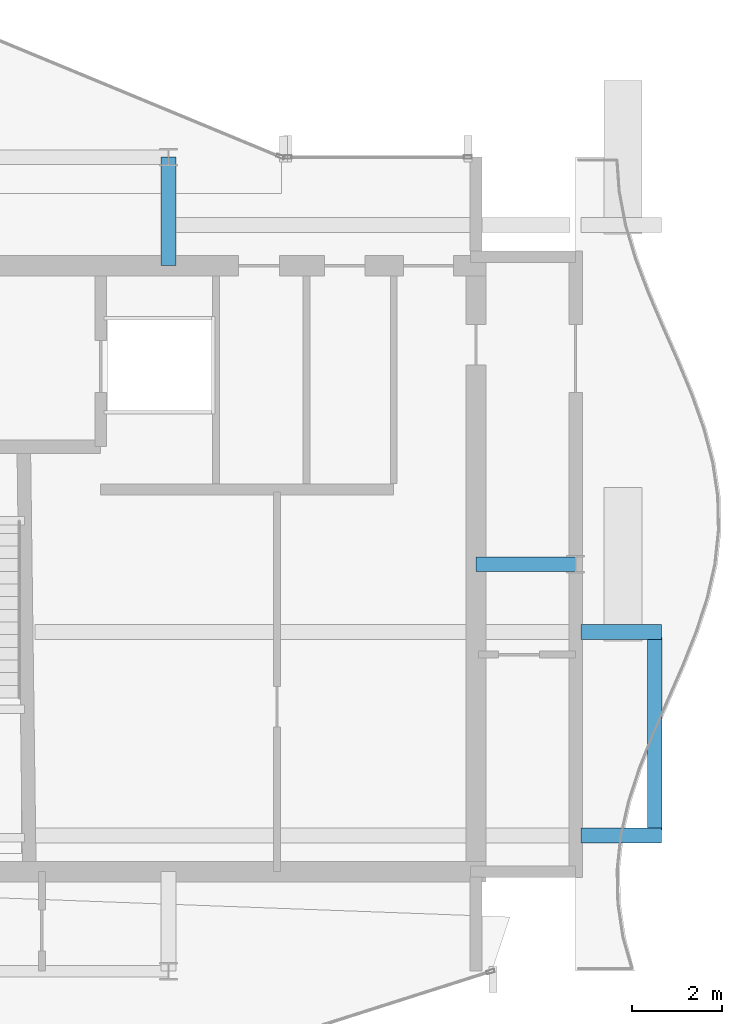
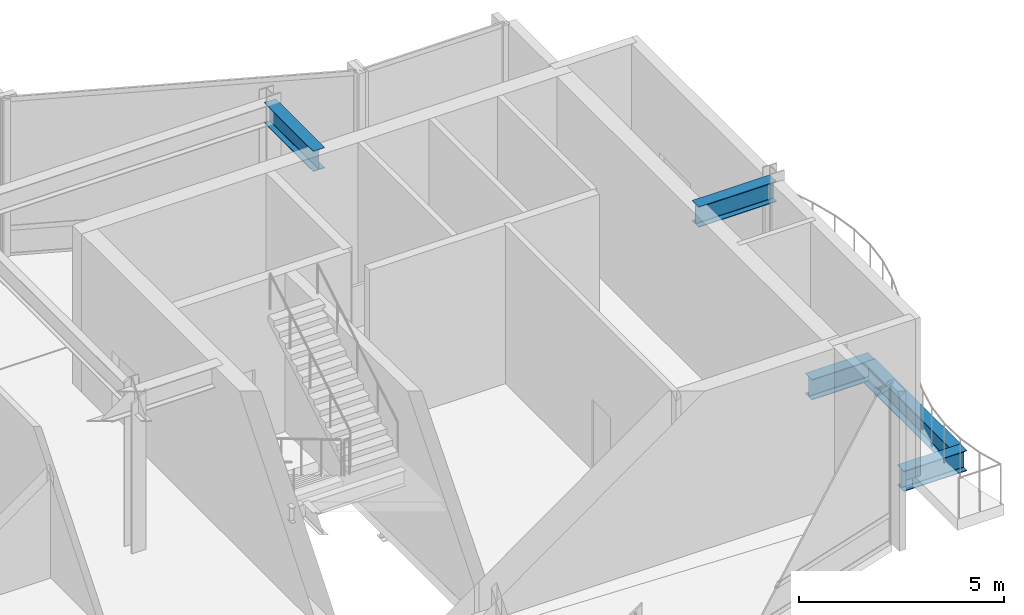
# One storey, part 12 of 23: 5 beams.
"""IFC4 building model written with IfcOpenShell, lengths in metres."""

from ifc_helpers import new_model, si_unit, direction, frame, origin, origin_2d, place, context, subcontext, project, spatial, i_section, extrude, material, material_profile, profile_set, type_object, element, save


model = new_model("IFC4")

# Units and contexts
model_context = context("Model", 3, precision=1e-05, world=origin(), true_north=direction((0.0, 1.0)))
body_context = subcontext(model_context, "Body", "Model", "MODEL_VIEW")
ifc_project = project(units=[si_unit("LENGTHUNIT", "METRE"), si_unit("AREAUNIT", "SQUARE_METRE"), si_unit("VOLUMEUNIT", "CUBIC_METRE"), si_unit("PLANEANGLEUNIT", "RADIAN"), si_unit("MASSUNIT", "GRAM", prefix="KILO")], contexts=[model_context])

# Site, building, storey
site_placement = place(None, origin())
site = spatial("IfcSite", under=ifc_project, at=site_placement, CompositionType="ELEMENT")
building_placement = place(site_placement, origin())
building = spatial("IfcBuilding", under=site, at=building_placement, Name="Solvaryn Broadcast Tower", CompositionType="ELEMENT")
storey_placement = place(building_placement, frame((0.0, 0.0, 235.800048828125)))
storey = spatial("IfcBuildingStorey", under=building, at=storey_placement, Name="L59", CompositionType="ELEMENT", Elevation=235.800048828125)

# Beams
ifc_material_1 = material(Name="Steel ASTM A992 Grade 50", Category="steel")
ifc_material_profile_1 = material_profile(ifc_material_1, i_section(OverallWidth=0.323974609375, OverallDepth=0.611083984375, WebThickness=0.0126953125, FlangeThickness=0.01904296875, FilletRadius=0.014892578125, at=origin_2d()))
ifc_profile_set_1 = profile_set([ifc_material_profile_1], Name="Steel ASTM A992 Grade 50")
beam_type_1 = type_object("IfcBeamType", Name="BM-B1-W24X104", PredefinedType="BEAM", material=ifc_profile_set_1)
beam_1_placement = place(storey_placement, frame((46.75, 12.125, -0.635498046875), z_axis=(0.0, 1.0, 0.0), x_axis=(-1.0, 0.0, 0.0)))
element("IfcBeam", 1, at=beam_1_placement, inside=storey, type_object=beam_type_1, Name="L59 East Terrace Cross Tie Beam", PredefinedType="BEAM", context=body_context, shape_type="SweptSolid", body=[
    extrude(i_section(OverallWidth=0.323974609375, OverallDepth=0.611083984375, WebThickness=0.0126953125, FlangeThickness=0.01904296875, FilletRadius=0.014892578125, at=origin_2d()), origin(), (0.0, 0.0, 1.0), 4.25),
])
beam_2_placement = place(storey_placement, frame((36.0, 24.60009765625, 4.41455078125), z_axis=(0.0, 1.0, 0.0), x_axis=(-1.0, 0.0, 0.0)))
element("IfcBeam", 2, at=beam_2_placement, inside=storey, type_object=beam_type_1, Name="L59 Core Tie Beam CTE2", PredefinedType="BEAM", context=body_context, shape_type="SweptSolid", body=[
    extrude(i_section(OverallWidth=0.323974609375, OverallDepth=0.611083984375, WebThickness=0.0126953125, FlangeThickness=0.01904296875, FilletRadius=0.014892578125, at=origin_2d()), origin(), (0.0, 0.0, 1.0), 2.39990234375),
])
beam_3_placement = place(storey_placement, frame((42.800048828125, 18.0, 4.41455078125), z_axis=(1.0, 0.0, 0.0), x_axis=(0.0, 1.0, 0.0)))
element("IfcBeam", 3, at=beam_3_placement, inside=storey, type_object=beam_type_1, Name="L59 Core Tie Beam CTE3", PredefinedType="BEAM", context=body_context, shape_type="SweptSolid", body=[
    extrude(i_section(OverallWidth=0.323974609375, OverallDepth=0.611083984375, WebThickness=0.0126953125, FlangeThickness=0.01904296875, FilletRadius=0.014892578125, at=origin_2d()), origin(), (0.0, 0.0, 1.0), 2.199951171875),
])
ifc_material_2 = material(Name="Steel ASTM A992 Grade 50", Category="steel")
ifc_material_profile_2 = material_profile(ifc_material_2, i_section(OverallWidth=0.323974609375, OverallDepth=0.611083984375, WebThickness=0.0126953125, FlangeThickness=0.01904296875, FilletRadius=0.014892578125, at=origin_2d()))
ifc_profile_set_2 = profile_set([ifc_material_profile_2], Name="Steel ASTM A992 Grade 50")
beam_type_2 = type_object("IfcBeamType", Name="BM-CANT-TER", PredefinedType="BEAM", material=ifc_profile_set_2)
for number, where, z_axis, x_axis, name in (
    (4, (45.125, 12.0, -0.635498046875), (1.0, 0.0, 0.0), (0.0, 1.0, 0.0), "L59 East Terrace Cantilever Beam Y12.0"),
    (5, (45.125, 16.5, -0.635498046875), (1.0, 0.0, 0.0), (0.0, 1.0, 0.0), "L59 East Terrace Cantilever Beam Y16.5"),
):
    element("IfcBeam", number, at=place(storey_placement, frame(where, z_axis=z_axis, x_axis=x_axis)), inside=storey, type_object=beam_type_2, Name=name, PredefinedType="BEAM", context=body_context, shape_type="SweptSolid", body=[
        extrude(i_section(OverallWidth=0.323974609375, OverallDepth=0.611083984375, WebThickness=0.0126953125, FlangeThickness=0.01904296875, FilletRadius=0.014892578125, at=origin_2d()), origin(), (0.0, 0.0, 1.0), 1.77490234375),
    ])

save(model, "model.ifc")
